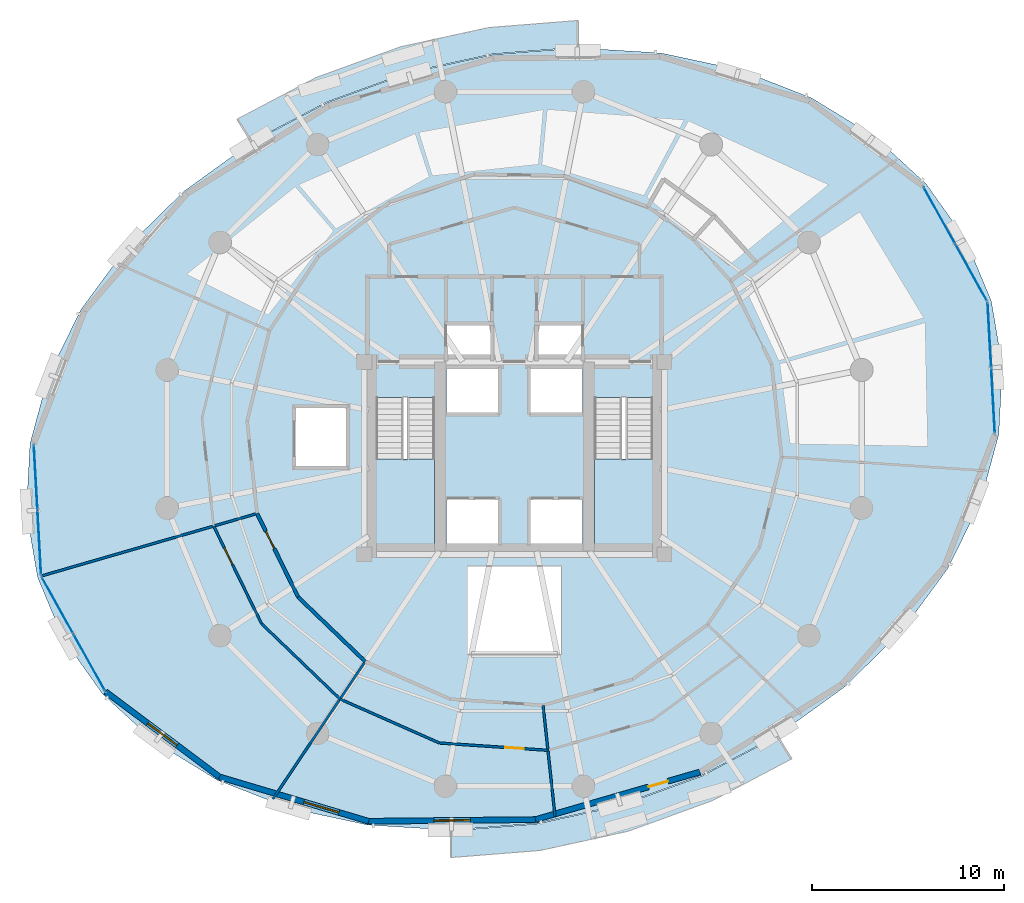
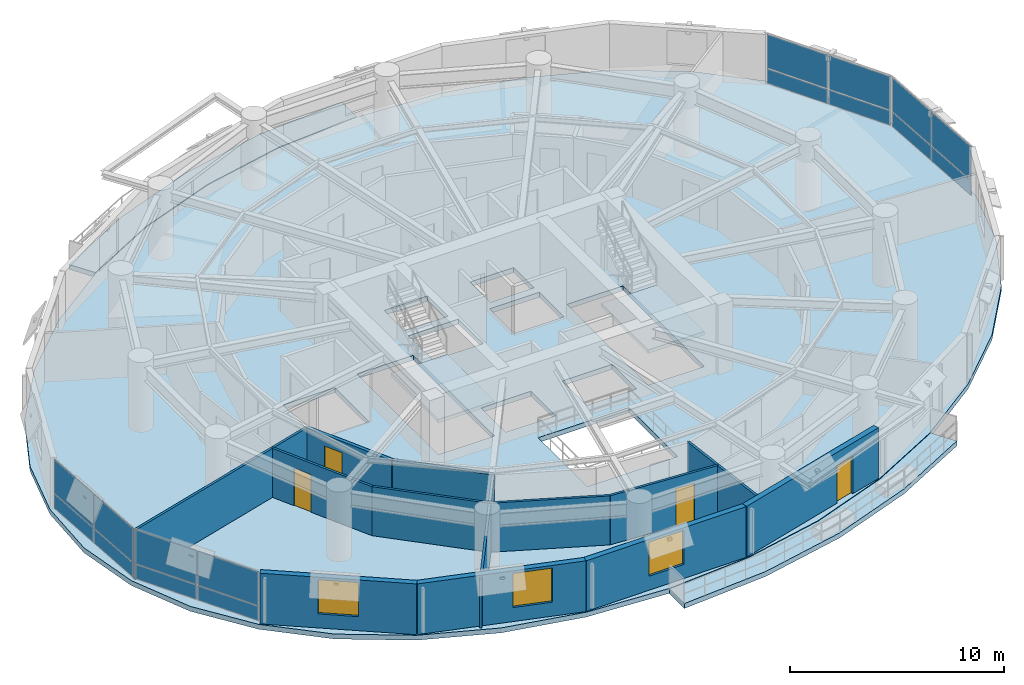
# One storey, part 9 of 15: 16 plates, 13 walls, 5 slabs, 4 doors, 3 windows, 7 openings, 6 elements without a shape of their own.
"""IFC4 building model written with IfcOpenShell, lengths in metres."""

import ifcopenshell
import ifcopenshell.guid

model = None  # the IFC model being written
_history = None  # IfcOwnerHistory: only IFC2X3 demands one
_inside = {}  # id of a spatial element -> (the spatial element, [elements in it])
_under = {}  # id of a project, library or spatial element -> (it, [spatial elements below it])
_declared = {}  # id of a project -> (the project, [libraries it declares])
_typed = {}  # id of a type object -> (the type object, [elements of that type])
_made_of = {}  # id of a material, layer set ... -> (it, [elements and type objects made of it])


def new_model(schema):
    """Start an empty IFC model of exactly this schema.

    Asked for "IFC4X3", IfcOpenShell would pick the latest addendum, in which some entities
    have other attributes; the version numbers below select the first issue.
    IFC2X3 requires an IfcOwnerHistory on every rooted entity: one is made here for all.
    """
    global model, _history
    if schema == "IFC4X3":
        model = ifcopenshell.file(schema_version=(4, 3, 0, 0))
    else:
        model = ifcopenshell.file(schema=schema)
    _inside.clear()
    _under.clear()
    _declared.clear()
    _typed.clear()
    _made_of.clear()
    _history = None
    if model.schema == "IFC2X3":
        org = make("IfcOrganization", Name="unknown")
        user = make(
            "IfcPersonAndOrganization",
            ThePerson=make("IfcPerson", FamilyName="unknown"),
            TheOrganization=org,
        )
        app = make(
            "IfcApplication",
            ApplicationDeveloper=org,
            Version="unknown",
            ApplicationFullName="unknown",
            ApplicationIdentifier="unknown",
        )
        _history = make(
            "IfcOwnerHistory",
            OwningUser=user,
            OwningApplication=app,
            ChangeAction="ADDED",
            CreationDate=0,
        )
    return model


def make(cls, **values):
    """One entity of the class cls with the attributes given. An attribute that is None is left unset."""
    return model.create_entity(
        cls, **{name: value for name, value in values.items() if value is not None}
    )


def rooted(cls, **values):
    """An entity with a GlobalId (a new one), such as an element, a storey or a relation."""
    return make(cls, GlobalId=ifcopenshell.guid.new(), OwnerHistory=_history, **values)


def si_unit(unit_type, name, prefix=None):
    """IfcSIUnit, for example si_unit("LENGTHUNIT", "METRE", prefix="MILLI")."""
    return make("IfcSIUnit", UnitType=unit_type, Prefix=prefix, Name=name)


def assignment(units):
    """IfcUnitAssignment: the units of a project."""
    return None if units is None else make("IfcUnitAssignment", Units=units)


def point(xyz):
    """IfcCartesianPoint."""
    return None if xyz is None else make("IfcCartesianPoint", Coordinates=xyz)


def direction(xyz):
    """IfcDirection."""
    return None if xyz is None else make("IfcDirection", DirectionRatios=xyz)


def frame(location, z_axis=None, x_axis=None):
    """IfcAxis2Placement3D, a coordinate frame: its origin and axes. An axis left out is left unset."""
    return make(
        "IfcAxis2Placement3D",
        Location=point(location),
        Axis=direction(z_axis),
        RefDirection=direction(x_axis),
    )


def frame_2d(location, x_axis=None):
    """IfcAxis2Placement2D, a coordinate frame in the plane: its origin and x axis."""
    return make(
        "IfcAxis2Placement2D", Location=point(location), RefDirection=direction(x_axis)
    )


def origin():
    """The frame at (0, 0, 0) with its axes left unset."""
    return frame((0.0, 0.0, 0.0))


def origin_2d():
    """The frame at (0, 0) in the plane with its x axis left unset."""
    return frame_2d((0.0, 0.0))


def place(relative_to, where):
    """IfcLocalPlacement: puts the frame where relative to a parent placement (None: the world)."""
    return make(
        "IfcLocalPlacement", PlacementRelTo=relative_to, RelativePlacement=where
    )


def context(
    kind, dimensions, precision=None, world=None, true_north=None, identifier=None
):
    """IfcGeometricRepresentationContext, for example the 3D "Model" context."""
    return make(
        "IfcGeometricRepresentationContext",
        ContextIdentifier=identifier,
        ContextType=kind,
        CoordinateSpaceDimension=dimensions,
        Precision=precision,
        WorldCoordinateSystem=world,
        TrueNorth=true_north,
    )


def subcontext(parent, identifier, kind, view, scale=None):
    """IfcGeometricRepresentationSubContext, for example "Body" below "Model"."""
    return make(
        "IfcGeometricRepresentationSubContext",
        ContextIdentifier=identifier,
        ContextType=kind,
        ParentContext=parent,
        TargetScale=scale,
        TargetView=view,
    )


def project(units=None, contexts=None):
    """IfcProject with its units and contexts."""
    return rooted(
        "IfcProject",
        Name="project",
        RepresentationContexts=contexts,
        UnitsInContext=assignment(units),
    )


def spatial(cls, under=None, at=None, **own):
    """A site, building, storey or space (cls), placed at a placement, below another one or the project."""
    s = rooted(cls, ObjectPlacement=at, **own)
    if under is not None:
        _under.setdefault(under.id(), (under, []))[1].append(s)
    return s


def polyline(points):
    """IfcPolyline through the points."""
    return make("IfcPolyline", Points=[point(p) for p in points])


def profile(cls, at=None, kind="AREA", **sizes):
    """A parametric profile (cls). Its sizes go by their IFC names, for example OverallWidth=200.0."""
    return make(cls, ProfileType=kind, Position=at, **sizes)


def rectangle(**sizes):
    """IfcRectangleProfileDef."""
    return profile("IfcRectangleProfileDef", **sizes)


def outline(outer, holes=None, kind="AREA"):
    """IfcArbitraryClosedProfileDef: a profile drawn as a closed curve; with holes, ...WithVoids."""
    if holes is None:
        return make("IfcArbitraryClosedProfileDef", ProfileType=kind, OuterCurve=outer)
    return make(
        "IfcArbitraryProfileDefWithVoids",
        ProfileType=kind,
        OuterCurve=outer,
        InnerCurves=holes,
    )


def extrude(swept, where, along, depth):
    """IfcExtrudedAreaSolid: the profile swept, set in the frame where, extruded along a direction by depth."""
    return make(
        "IfcExtrudedAreaSolid",
        SweptArea=swept,
        Position=where,
        ExtrudedDirection=direction(along),
        Depth=depth,
    )


def shape(context_of_items, identifier, shape_type, items):
    """IfcShapeRepresentation: the items that make up one representation, for example the "Body"."""
    return make(
        "IfcShapeRepresentation",
        ContextOfItems=context_of_items,
        RepresentationIdentifier=identifier,
        RepresentationType=shape_type,
        Items=items,
    )


def material(Name=None, Category=None):
    """IfcMaterial."""
    return make("IfcMaterial", Name=Name, Category=Category)


def layer(
    of_material, thickness, ventilated=None, Name=None, Category=None, Priority=None
):
    """IfcMaterialLayer: one layer of a wall or slab, of a material (None: an air gap)."""
    return make(
        "IfcMaterialLayer",
        Material=of_material,
        LayerThickness=thickness,
        IsVentilated=ventilated,
        Name=Name,
        Category=Category,
        Priority=Priority,
    )


def layer_set(layers, Name=None):
    """IfcMaterialLayerSet."""
    return make("IfcMaterialLayerSet", MaterialLayers=layers, LayerSetName=Name)


def made_of(thing, what):
    """Note that an element or type object is made of a material, layer set ...; save() writes the relation."""
    if what is not None:
        _made_of.setdefault(what.id(), (what, []))[1].append(thing)
    return thing


def type_object(cls, material=None, **own):
    """A type object (cls), such as IfcWallType, which elements share."""
    return made_of(rooted(cls, **own), material)


def element(
    cls,
    number,
    at=None,
    inside=None,
    cuts=None,
    type_object=None,
    material=None,
    context=None,
    identifier="Body",
    shape_type=None,
    held_by="IfcProductDefinitionShape",
    body=None,
    shapes=None,
    **own,
):
    """One element of the class cls, such as IfcWall. Its Tag is "e" and its number.

    at: its placement. inside: the storey or other place that contains it. cuts: it is an
    opening in that element (IfcRelVoidsElement). A single representation is given by context,
    identifier, shape_type and body (its items); several are given by shapes. held_by: the class
    of the entity that holds the representations. save() writes the other relations.
    """
    e = rooted(cls, Tag="e%d" % number, ObjectPlacement=at, **own)
    if body is not None:
        shapes = [shape(context, identifier, shape_type, body)]
    if shapes is not None:
        e.Representation = make(held_by, Representations=shapes)
    if inside is not None:
        _inside.setdefault(inside.id(), (inside, []))[1].append(e)
    if cuts is not None:
        rooted(
            "IfcRelVoidsElement", RelatingBuildingElement=cuts, RelatedOpeningElement=e
        )
    if type_object is not None:
        _typed.setdefault(type_object.id(), (type_object, []))[1].append(e)
    return made_of(e, material)


def fill(opening, filler):
    """IfcRelFillsElement: the door or window that sits in an opening."""
    return rooted(
        "IfcRelFillsElement",
        RelatingOpeningElement=opening,
        RelatedBuildingElement=filler,
    )


def aggregate(whole, parts):
    """IfcRelAggregates: a whole, such as a stair, and the parts it consists of."""
    return rooted("IfcRelAggregates", RelatingObject=whole, RelatedObjects=parts)


def save(model, path):
    """Write the relations noted so far, then the file.

    IfcRelAggregates (storeys below a building ...), IfcRelContainedInSpatialStructure (elements
    in a storey), IfcRelDefinesByType, IfcRelAssociatesMaterial and IfcRelDeclares: one each for
    every whole, place, type object, material and project.
    """
    for whole, parts in _under.values():
        aggregate(whole, parts)
    for where, things in _inside.values():
        rooted(
            "IfcRelContainedInSpatialStructure",
            RelatedElements=things,
            RelatingStructure=where,
        )
    for kind, things in _typed.values():
        rooted("IfcRelDefinesByType", RelatedObjects=things, RelatingType=kind)
    for what, things in _made_of.values():
        rooted("IfcRelAssociatesMaterial", RelatedObjects=things, RelatingMaterial=what)
    for by, libraries in _declared.values():
        rooted("IfcRelDeclares", RelatingContext=by, RelatedDefinitions=libraries)
    model.write(path)


model = new_model("IFC4")

# Units and contexts
model_context = context("Model", 3, precision=1e-05, world=origin(), true_north=direction((0.0, 1.0)))
body_context = subcontext(model_context, "Body", "Model", "MODEL_VIEW")
ifc_project = project(units=[si_unit("LENGTHUNIT", "METRE"), si_unit("AREAUNIT", "SQUARE_METRE"), si_unit("VOLUMEUNIT", "CUBIC_METRE"), si_unit("PLANEANGLEUNIT", "RADIAN"), si_unit("MASSUNIT", "GRAM", prefix="KILO"), si_unit("THERMODYNAMICTEMPERATUREUNIT", "KELVIN"), si_unit("POWERUNIT", "WATT")], contexts=[model_context])

# Site, building, storey
site_placement = place(None, origin())
site = spatial("IfcSite", under=ifc_project, at=site_placement, CompositionType="ELEMENT")
building_placement = place(site_placement, origin())
building = spatial("IfcBuilding", under=site, at=building_placement, Name="Ocrelia Relay Tower", CompositionType="ELEMENT")
storey_placement = place(building_placement, frame((0.0, 0.0, 101.800048828125)))
storey = spatial("IfcBuildingStorey", under=building, at=storey_placement, Name="L23", CompositionType="ELEMENT", Elevation=101.800048828125)

# Curtain wall, plates
ifc_material_1 = material(Name="Aluminium and solar-control low-E glass", Category="aluminium")
ifc_layer_1 = layer(ifc_material_1, 0.179931640625, Name="Aluminium and solar-control low-E glass")
ifc_layer_set_1 = layer_set([ifc_layer_1], Name="Aluminium and solar-control low-E glass")
curtain_wall_type = type_object("IfcCurtainWallType", Name="CW-SYS-Z2-SWIT", PredefinedType="NOTDEFINED", material=ifc_layer_set_1)
curtain_wall_1_placement = place(storey_placement, origin())
curtain_wall_1 = element("IfcCurtainWall", 1, at=curtain_wall_1_placement, inside=storey, type_object=curtain_wall_type, Name="L23 Elliptical Tower Curtain Wall Bay 01", PredefinedType="NOTDEFINED")
ifc_material_2 = material(Name="Clear double-glazed low-E glass", Category="glass")
ifc_layer_2 = layer(ifc_material_2, 0.031982421875, Name="Clear double-glazed low-E glass")
ifc_layer_set_2 = layer_set([ifc_layer_2], Name="Clear double-glazed low-E glass")
plate_type = type_object("IfcPlateType", Name="CW-SYS-Z2-SWIT-PNL", PredefinedType="CURTAIN_PANEL", material=ifc_layer_set_2)
plate_1_placement = place(storey_placement, frame((57.744384765625, 34.638427734375, 0.059814453125), z_axis=(0.0, 0.0, 1.0), x_axis=(-0.486623868273, 0.873611590369, 0.0)))
plate_1 = element("IfcPlate", 2, at=plate_1_placement, type_object=plate_type, Name="CW-Z2 panel 1.1", PredefinedType="CURTAIN_PANEL", context=body_context, shape_type="SweptSolid", body=[
    extrude(rectangle(XDim=3.33447265625, YDim=0.031982421875, at=origin_2d()), origin(), (0.0, 0.0, 1.0), 0.81005859375),
])
plate_2_placement = place(storey_placement, frame((57.744384765625, 34.638427734375, 0.93017578125), z_axis=(0.0, 0.0, 1.0), x_axis=(-0.486623868273, 0.873611590369, 0.0)))
plate_2 = element("IfcPlate", 3, at=plate_2_placement, type_object=plate_type, Name="CW-Z2 panel 1.2", PredefinedType="CURTAIN_PANEL", context=body_context, shape_type="SweptSolid", body=[
    extrude(rectangle(XDim=3.33447265625, YDim=0.031982421875, at=origin_2d()), origin(), (0.0, 0.0, 1.0), 1.909912109375),
])
plate_3_placement = place(storey_placement, frame((56.087646484375, 37.612548828125, 0.059814453125), z_axis=(0.0, 0.0, 1.0), x_axis=(-0.486623868273, 0.873611590369, 0.0)))
plate_3 = element("IfcPlate", 4, at=plate_3_placement, type_object=plate_type, Name="CW-Z2 panel 2.1", PredefinedType="CURTAIN_PANEL", context=body_context, shape_type="SweptSolid", body=[
    extrude(rectangle(XDim=3.33447265625, YDim=0.031982421875, at=origin_2d()), origin(), (0.0, 0.0, 1.0), 0.81005859375),
])
plate_4_placement = place(storey_placement, frame((56.087646484375, 37.612548828125, 0.93017578125), z_axis=(0.0, 0.0, 1.0), x_axis=(-0.486623868273, 0.873611590369, 0.0)))
plate_4 = element("IfcPlate", 5, at=plate_4_placement, type_object=plate_type, Name="CW-Z2 panel 2.2", PredefinedType="CURTAIN_PANEL", context=body_context, shape_type="SweptSolid", body=[
    extrude(rectangle(XDim=3.33447265625, YDim=0.031982421875, at=origin_2d()), origin(), (0.0, 0.0, 1.0), 1.909912109375),
])
aggregate(curtain_wall_1, [plate_1, plate_2, plate_3, plate_4])

curtain_wall_2_placement = place(storey_placement, origin())
curtain_wall_2 = element("IfcCurtainWall", 6, at=curtain_wall_2_placement, inside=storey, type_object=curtain_wall_type, Name="L23 Elliptical Tower Curtain Wall Bay 09", PredefinedType="NOTDEFINED")
plate_5_placement = place(storey_placement, frame((9.125, 24.01318359375, 0.059814453125), z_axis=(0.0, 0.0, 1.0), x_axis=(0.055486927026, -0.998459413762, 0.0)))
plate_5 = element("IfcPlate", 7, at=plate_5_placement, type_object=plate_type, Name="CW-Z2 panel 1.1", PredefinedType="CURTAIN_PANEL", context=body_context, shape_type="SweptSolid", body=[
    extrude(rectangle(XDim=3.33447265625, YDim=0.031982421875, at=origin_2d()), origin(), (0.0, 0.0, 1.0), 0.81005859375),
])
plate_6_placement = place(storey_placement, frame((9.125, 24.01318359375, 0.93017578125), z_axis=(0.0, 0.0, 1.0), x_axis=(0.055486927026, -0.998459413762, 0.0)))
plate_6 = element("IfcPlate", 8, at=plate_6_placement, type_object=plate_type, Name="CW-Z2 panel 1.2", PredefinedType="CURTAIN_PANEL", context=body_context, shape_type="SweptSolid", body=[
    extrude(rectangle(XDim=3.33447265625, YDim=0.031982421875, at=origin_2d()), origin(), (0.0, 0.0, 1.0), 1.909912109375),
])
plate_7_placement = place(storey_placement, frame((9.31396484375, 20.614013671875, 0.059814453125), z_axis=(0.0, 0.0, 1.0), x_axis=(0.055486927026, -0.998459413762, 0.0)))
plate_7 = element("IfcPlate", 9, at=plate_7_placement, type_object=plate_type, Name="CW-Z2 panel 2.1", PredefinedType="CURTAIN_PANEL", context=body_context, shape_type="SweptSolid", body=[
    extrude(rectangle(XDim=3.33447265625, YDim=0.031982421875, at=origin_2d()), origin(), (0.0, 0.0, 1.0), 0.81005859375),
])
plate_8_placement = place(storey_placement, frame((9.31396484375, 20.614013671875, 0.93017578125), z_axis=(0.0, 0.0, 1.0), x_axis=(0.055486927026, -0.998459413762, 0.0)))
plate_8 = element("IfcPlate", 10, at=plate_8_placement, type_object=plate_type, Name="CW-Z2 panel 2.2", PredefinedType="CURTAIN_PANEL", context=body_context, shape_type="SweptSolid", body=[
    extrude(rectangle(XDim=3.33447265625, YDim=0.031982421875, at=origin_2d()), origin(), (0.0, 0.0, 1.0), 1.909912109375),
])
aggregate(curtain_wall_2, [plate_5, plate_6, plate_7, plate_8])

curtain_wall_3_placement = place(storey_placement, origin())
curtain_wall_3 = element("IfcCurtainWall", 11, at=curtain_wall_3_placement, inside=storey, type_object=curtain_wall_type, Name="L23 Elliptical Tower Curtain Wall Bay 10", PredefinedType="NOTDEFINED")
plate_9_placement = place(storey_placement, frame((10.255615234375, 17.361572265625, 0.059814453125), z_axis=(0.0, 0.0, 1.0), x_axis=(0.486623868273, -0.873611590369, 0.0)))
plate_9 = element("IfcPlate", 12, at=plate_9_placement, type_object=plate_type, Name="CW-Z2 panel 1.1", PredefinedType="CURTAIN_PANEL", context=body_context, shape_type="SweptSolid", body=[
    extrude(rectangle(XDim=3.33447265625, YDim=0.031982421875, at=origin_2d()), origin(), (0.0, 0.0, 1.0), 0.81005859375),
])
plate_10_placement = place(storey_placement, frame((10.255615234375, 17.361572265625, 0.93017578125), z_axis=(0.0, 0.0, 1.0), x_axis=(0.486623868273, -0.873611590369, 0.0)))
plate_10 = element("IfcPlate", 13, at=plate_10_placement, type_object=plate_type, Name="CW-Z2 panel 1.2", PredefinedType="CURTAIN_PANEL", context=body_context, shape_type="SweptSolid", body=[
    extrude(rectangle(XDim=3.33447265625, YDim=0.031982421875, at=origin_2d()), origin(), (0.0, 0.0, 1.0), 1.909912109375),
])
plate_11_placement = place(storey_placement, frame((11.912353515625, 14.387451171875, 0.059814453125), z_axis=(0.0, 0.0, 1.0), x_axis=(0.486623868273, -0.873611590369, 0.0)))
plate_11 = element("IfcPlate", 14, at=plate_11_placement, type_object=plate_type, Name="CW-Z2 panel 2.1", PredefinedType="CURTAIN_PANEL", context=body_context, shape_type="SweptSolid", body=[
    extrude(rectangle(XDim=3.33447265625, YDim=0.031982421875, at=origin_2d()), origin(), (0.0, 0.0, 1.0), 0.81005859375),
])
plate_12_placement = place(storey_placement, frame((11.912353515625, 14.387451171875, 0.93017578125), z_axis=(0.0, 0.0, 1.0), x_axis=(0.486623868273, -0.873611590369, 0.0)))
plate_12 = element("IfcPlate", 15, at=plate_12_placement, type_object=plate_type, Name="CW-Z2 panel 2.2", PredefinedType="CURTAIN_PANEL", context=body_context, shape_type="SweptSolid", body=[
    extrude(rectangle(XDim=3.33447265625, YDim=0.031982421875, at=origin_2d()), origin(), (0.0, 0.0, 1.0), 1.909912109375),
])
aggregate(curtain_wall_3, [plate_9, plate_10, plate_11, plate_12])

curtain_wall_4_placement = place(storey_placement, origin())
curtain_wall_4 = element("IfcCurtainWall", 16, at=curtain_wall_4_placement, inside=storey, type_object=curtain_wall_type, Name="L23 Elliptical Tower Curtain Wall Bay 18", PredefinedType="NOTDEFINED")
plate_13_placement = place(storey_placement, frame((58.875, 27.98681640625, 0.059814453125), z_axis=(0.0, 0.0, 1.0), x_axis=(-0.055486927026, 0.998459413762, 0.0)))
plate_13 = element("IfcPlate", 17, at=plate_13_placement, type_object=plate_type, Name="CW-Z2 panel 1.1", PredefinedType="CURTAIN_PANEL", context=body_context, shape_type="SweptSolid", body=[
    extrude(rectangle(XDim=3.33447265625, YDim=0.031982421875, at=origin_2d()), origin(), (0.0, 0.0, 1.0), 0.81005859375),
])
plate_14_placement = place(storey_placement, frame((58.875, 27.98681640625, 0.93017578125), z_axis=(0.0, 0.0, 1.0), x_axis=(-0.055486927026, 0.998459413762, 0.0)))
plate_14 = element("IfcPlate", 18, at=plate_14_placement, type_object=plate_type, Name="CW-Z2 panel 1.2", PredefinedType="CURTAIN_PANEL", context=body_context, shape_type="SweptSolid", body=[
    extrude(rectangle(XDim=3.33447265625, YDim=0.031982421875, at=origin_2d()), origin(), (0.0, 0.0, 1.0), 1.909912109375),
])
plate_15_placement = place(storey_placement, frame((58.68603515625, 31.385986328125, 0.059814453125), z_axis=(0.0, 0.0, 1.0), x_axis=(-0.055486927026, 0.998459413762, 0.0)))
plate_15 = element("IfcPlate", 19, at=plate_15_placement, type_object=plate_type, Name="CW-Z2 panel 2.1", PredefinedType="CURTAIN_PANEL", context=body_context, shape_type="SweptSolid", body=[
    extrude(rectangle(XDim=3.33447265625, YDim=0.031982421875, at=origin_2d()), origin(), (0.0, 0.0, 1.0), 0.81005859375),
])
plate_16_placement = place(storey_placement, frame((58.68603515625, 31.385986328125, 0.93017578125), z_axis=(0.0, 0.0, 1.0), x_axis=(-0.055486927026, 0.998459413762, 0.0)))
plate_16 = element("IfcPlate", 20, at=plate_16_placement, type_object=plate_type, Name="CW-Z2 panel 2.2", PredefinedType="CURTAIN_PANEL", context=body_context, shape_type="SweptSolid", body=[
    extrude(rectangle(XDim=3.33447265625, YDim=0.031982421875, at=origin_2d()), origin(), (0.0, 0.0, 1.0), 1.909912109375),
])
aggregate(curtain_wall_4, [plate_13, plate_14, plate_15, plate_16])

# Slabs
ifc_material_3 = material(Name="Precast concrete C40/50", Category="concrete")
ifc_layer_3 = layer(ifc_material_3, 0.280029296875, Name="Precast concrete C40/50")
ifc_layer_set_3 = layer_set([ifc_layer_3], Name="Precast concrete C40/50")
slab_type_1 = type_object("IfcSlabType", Name="SL-BALC-280", PredefinedType="FLOOR", material=ifc_layer_set_3)
slab_1_placement = place(storey_placement, frame((0.0, 0.0, -0.280029296875)))
element("IfcSlab", 21, at=slab_1_placement, inside=storey, type_object=slab_type_1, Name="L23 Planted Loggia Balcony B1", PredefinedType="FLOOR", context=body_context, shape_type="SweptSolid", body=[
    extrude(outline(polyline([(37.30029296875, 46.356201171875), (35.087646484375, 46.180908203125), (32.875244140625, 46.005615234375), (28.484130859375, 45.047607421875), (24.2607421875, 43.510986328125), (22.296875, 42.476806640625), (20.3330078125, 41.44287109375), (19.598388671875, 42.626953125), (21.647705078125, 43.7060546875), (23.69677734375, 44.784912109375), (28.0966796875, 46.385498046875), (32.671142578125, 47.3837890625), (34.979736328125, 47.566650390625), (37.288330078125, 47.74951171875), (37.30029296875, 46.356201171875)])), origin(), (0.0, 0.0, 1.0), 0.280029296875),
])
slab_2_placement = place(storey_placement, frame((0.0, 0.0, -0.280029296875)))
element("IfcSlab", 22, at=slab_2_placement, inside=storey, type_object=slab_type_1, Name="L23 Planted Loggia Balcony B2", PredefinedType="FLOOR", context=body_context, shape_type="SweptSolid", body=[
    extrude(outline(polyline([(30.69970703125, 5.643798828125), (32.912353515625, 5.819091796875), (35.124755859375, 5.994384765625), (39.515869140625, 6.952392578125), (43.7392578125, 8.489013671875), (45.703125, 9.523193359375), (47.6669921875, 10.55712890625), (48.401611328125, 9.373046875), (46.352294921875, 8.2939453125), (44.30322265625, 7.215087890625), (39.9033203125, 5.614501953125), (35.328857421875, 4.6162109375), (33.020263671875, 4.433349609375), (30.711669921875, 4.25048828125), (30.69970703125, 5.643798828125)])), origin(), (0.0, 0.0, 1.0), 0.280029296875),
])
ifc_material_4 = material(Name="Concrete C50/60", Category="concrete")
ifc_layer_4 = layer(ifc_material_4, 0.280029296875, Name="Concrete C50/60")
ifc_layer_set_4 = layer_set([ifc_layer_4], Name="Concrete C50/60")
slab_type_2 = type_object("IfcSlabType", Name="SL-FLR-280", PredefinedType="FLOOR", material=ifc_layer_set_4)
slab_3_placement = place(storey_placement, frame((0.0, 0.0, -0.280029296875)))
element("IfcSlab", 23, at=slab_3_placement, inside=storey, type_object=slab_type_2, Name="L23 Elliptical Tower Floor Slab", PredefinedType="FLOOR", context=body_context, shape_type="SweptSolid", body=[
    extrude(outline(polyline([(58.78173828125, 33.17626953125), (57.448974609375, 36.369873046875), (55.40380859375, 39.248291015625), (52.7080078125, 41.72412109375), (49.44384765625, 43.722412109375), (45.71044921875, 45.181884765625), (41.621337890625, 46.058837890625), (37.300537109375, 46.326171875), (32.879638671875, 45.975830078125), (28.49267578125, 45.0185546875), (24.27294921875, 43.4833984375), (20.348876953125, 41.417236328125), (16.839599609375, 38.88232421875), (13.8515625, 35.956298828125), (11.475830078125, 32.7275390625), (9.78466796875, 29.29443359375), (8.8291015625, 25.76123046875), (8.63818359375, 22.235107421875), (9.21826171875, 18.82373046875), (10.551025390625, 15.630126953125), (12.59619140625, 12.751708984375), (15.2919921875, 10.27587890625), (18.55615234375, 8.277587890625), (22.28955078125, 6.818115234375), (26.378662109375, 5.941162109375), (30.699462890625, 5.673828125), (35.120361328125, 6.024169921875), (39.50732421875, 6.9814453125), (43.72705078125, 8.5166015625), (47.651123046875, 10.582763671875), (51.160400390625, 13.11767578125), (54.1484375, 16.043701171875), (56.524169921875, 19.2724609375), (58.21533203125, 22.70556640625), (59.1708984375, 26.23876953125), (59.36181640625, 29.764892578125), (58.78173828125, 33.17626953125)]), holes=[polyline([(26.81005859375, 28.14990234375), (26.81005859375, 20.550048828125), (29.85009765625, 20.550048828125), (29.85009765625, 28.14990234375), (26.81005859375, 28.14990234375)]), polyline([(38.159912109375, 28.14990234375), (38.159912109375, 20.550048828125), (41.199951171875, 20.550048828125), (41.199951171875, 28.14990234375), (38.159912109375, 28.14990234375)]), polyline([(30.4599609375, 20.550048828125), (33.159912109375, 20.550048828125), (33.159912109375, 22.85009765625), (30.4599609375, 22.85009765625), (30.4599609375, 20.550048828125)]), polyline([(34.840087890625, 20.550048828125), (37.5400390625, 20.550048828125), (37.5400390625, 22.85009765625), (34.840087890625, 22.85009765625), (34.840087890625, 20.550048828125)]), polyline([(30.4599609375, 27.35009765625), (33.159912109375, 27.35009765625), (33.159912109375, 29.64990234375), (30.4599609375, 29.64990234375), (30.4599609375, 27.35009765625)]), polyline([(34.840087890625, 27.35009765625), (37.5400390625, 27.35009765625), (37.5400390625, 29.64990234375), (34.840087890625, 29.64990234375), (34.840087890625, 27.35009765625)]), polyline([(30.5, 30.10009765625), (32.85009765625, 30.10009765625), (32.85009765625, 32.0), (30.5, 32.0), (30.5, 30.10009765625)]), polyline([(35.14990234375, 30.10009765625), (37.5, 30.10009765625), (37.5, 32.0), (35.14990234375, 32.0), (35.14990234375, 30.10009765625)]), polyline([(22.550048828125, 24.5), (25.35009765625, 24.5), (25.35009765625, 27.699951171875), (22.550048828125, 27.699951171875), (22.550048828125, 24.5)]), polyline([(31.550048828125, 14.800048828125), (36.449951171875, 14.800048828125), (36.449951171875, 19.39990234375), (31.550048828125, 19.39990234375), (31.550048828125, 14.800048828125)])]), origin(), (0.0, 0.0, 1.0), 0.280029296875),
])

# Stair, slab
stair_type = type_object("IfcStairType", Name="ST-DL-1420-R167", PredefinedType="HALF_TURN_STAIR", material=ifc_material_4)
stair_1_placement = place(storey_placement, origin())
stair_1 = element("IfcStair", 24, at=stair_1_placement, inside=storey, type_object=stair_type, Name="L23 West Core Exit Stair ST1", PredefinedType="HALF_TURN_STAIR")
ifc_layer_5 = layer(ifc_material_4, 0.199951171875, Name="Concrete C50/60")
ifc_layer_set_5 = layer_set([ifc_layer_5], Name="Concrete C50/60")
slab_type_3 = type_object("IfcSlabType", Name="SL-LANDING-200", PredefinedType="LANDING", material=ifc_layer_set_5)
slab_4_placement = place(storey_placement, frame((0.0, 0.0, 1.800048828125)))
slab_4 = element("IfcSlab", 25, at=slab_4_placement, type_object=slab_type_3, Name="ST1 landing 1", PredefinedType="LANDING", context=body_context, shape_type="SweptSolid", body=[
    extrude(outline(polyline([(26.81005859375, 24.9599609375), (26.81005859375, 20.550048828125), (29.85009765625, 20.550048828125), (29.85009765625, 24.9599609375), (26.81005859375, 24.9599609375)])), origin(), (0.0, 0.0, 1.0), 0.199951171875),
])
aggregate(stair_1, [slab_4])

stair_2_placement = place(storey_placement, origin())
stair_2 = element("IfcStair", 26, at=stair_2_placement, inside=storey, type_object=stair_type, Name="L23 East Core Exit Stair ST2", PredefinedType="HALF_TURN_STAIR")
slab_5_placement = place(storey_placement, frame((0.0, 0.0, 1.800048828125)))
slab_5 = element("IfcSlab", 27, at=slab_5_placement, type_object=slab_type_3, Name="ST2 landing 1", PredefinedType="LANDING", context=body_context, shape_type="SweptSolid", body=[
    extrude(outline(polyline([(38.159912109375, 24.9599609375), (38.159912109375, 20.550048828125), (41.199951171875, 20.550048828125), (41.199951171875, 24.9599609375), (38.159912109375, 24.9599609375)])), origin(), (0.0, 0.0, 1.0), 0.199951171875),
])
aggregate(stair_2, [slab_5])

# Wall, opening, door
ifc_material_5 = material(Name="Gypsum Fireboard Partition EI60", Category="gypsum")
ifc_layer_6 = layer(ifc_material_5, 0.179931640625, Name="Gypsum Fireboard Partition EI60")
ifc_layer_set_6 = layer_set([ifc_layer_6], Name="Gypsum Fireboard Partition EI60")
wall_type_1 = type_object("IfcWallType", Name="W-CORR-EI60-180", PredefinedType="PARTITIONING", material=ifc_layer_set_6)
wall_1_placement = place(storey_placement, frame((20.62939453125, 22.128173828125, 0.0), z_axis=(0.0, 0.0, 1.0), x_axis=(0.44071758316, -0.897645816508, 0.0)))
wall_1 = element("IfcWall", 28, at=wall_1_placement, inside=storey, type_object=wall_type_1, Name="L23 Optical Routing Office B Corridor Partition 1", PredefinedType="PARTITIONING", context=body_context, shape_type="SweptSolid", body=[
    extrude(rectangle(XDim=4.83447265625, YDim=0.179931640625, at=frame_2d((2.417236328125, 0.0))), origin(), (0.0, 0.0, 1.0), 2.800048828125),
])
opening_1_placement = place(wall_1_placement, frame((1.03369140625, 0.0, 0.0)))
opening_1 = element("IfcOpeningElement", 29, at=opening_1_placement, cuts=wall_1, Name="Opening D-RM100", PredefinedType="OPENING", context=body_context, shape_type="SweptSolid", body=[
    extrude(rectangle(XDim=1.0, YDim=2.14990234375, at=frame_2d((0.5, 1.074951171875))), frame((0.0, 0.10009765625, 0.0), z_axis=(0.0, -1.0, 0.0), x_axis=(1.0, 0.0, 0.0)), (0.0, 0.0, 1.0), 0.199951171875),
])
ifc_material_6 = material(Name="Acoustic oak veneer fire door", Category="wood")
door_type_1 = type_object("IfcDoorType", Name="DR-ROOM-FD60-1000", OperationType="NOTDEFINED", PredefinedType="DOOR", material=ifc_material_6)
door_1_placement = place(opening_1_placement, origin())
door_1 = element("IfcDoor", 30, at=door_1_placement, inside=storey, type_object=door_type_1, Name="L23 Optical Routing Office B Entrance Door", OperationType="SINGLE_SWING_RIGHT", OverallHeight=2.14990234375, OverallWidth=1.0, PredefinedType="DOOR", context=body_context, shape_type="SweptSolid", body=[
    extrude(rectangle(XDim=1.0, YDim=2.14990234375, at=frame_2d((0.5, 1.074951171875))), frame((0.0, 0.02490234375, 0.0), z_axis=(0.0, -1.0, 0.0), x_axis=(1.0, 0.0, 0.0)), (0.0, 0.0, 1.0), 0.050048828125),
])
fill(opening_1, door_1)

# Wall
wall_2_placement = place(storey_placement, frame((22.760009765625, 17.78857421875, 0.0), z_axis=(0.0, 0.0, 1.0), x_axis=(0.721155169052, -0.692773572063, 0.0)))
element("IfcWall", 31, at=wall_2_placement, inside=storey, type_object=wall_type_1, Name="L23 Optical Routing Office B Corridor Partition 2", PredefinedType="PARTITIONING", context=body_context, shape_type="SweptSolid", body=[
    extrude(rectangle(XDim=4.83447265625, YDim=0.179931640625, at=frame_2d((2.417236328125, 0.0))), origin(), (0.0, 0.0, 1.0), 2.800048828125),
])

# Wall, opening, window
ifc_material_7 = material(Name="Precast concrete C40/50 with oxide terracotta", Category="masonry")
ifc_layer_7 = layer(ifc_material_7, 0.300048828125, Name="Precast concrete C40/50 with oxide terracotta")
ifc_layer_set_7 = layer_set([ifc_layer_7], Name="Precast concrete C40/50 with oxide terracotta")
wall_type_2 = type_object("IfcWallType", Name="W-EXT-TERR-300", PredefinedType="SOLIDWALL", material=ifc_layer_set_7)
wall_3_placement = place(storey_placement, frame((12.7578125, 12.86962890625, 0.0), z_axis=(0.0, 0.0, 1.0), x_axis=(0.80042041599, -0.599439035821, 0.0)))
wall_3 = element("IfcWall", 32, at=wall_3_placement, inside=storey, type_object=wall_type_2, Name="L23 Oxide Terracotta Facade Wall 11", PredefinedType="SOLIDWALL", context=body_context, shape_type="SweptSolid", body=[
    extrude(rectangle(XDim=7.38330078125, YDim=0.300048828125, at=frame_2d((3.691650390625, 0.0))), origin(), (0.0, 0.0, 1.0), 2.89990234375),
])
opening_2_placement = place(wall_3_placement, frame((2.741943359375, 0.0, 0.800048828125)))
opening_2 = element("IfcOpeningElement", 33, at=opening_2_placement, cuts=wall_3, Name="Opening W-06", PredefinedType="OPENING", context=body_context, shape_type="SweptSolid", body=[
    extrude(rectangle(XDim=1.89990234375, YDim=1.949951171875, at=frame_2d((0.949951171875, 0.97509765625))), frame((0.0, 0.16015625, 0.0), z_axis=(0.0, -1.0, 0.0), x_axis=(1.0, 0.0, 0.0)), (0.0, 0.0, 1.0), 0.320068359375),
])
window_type = type_object("IfcWindowType", Name="WIN-Z2-1900x2100", PartitioningType="DOUBLE_PANEL_VERTICAL", PredefinedType="WINDOW", material=ifc_material_2)
window_1_placement = place(opening_2_placement, origin())
window_1 = element("IfcWindow", 34, at=window_1_placement, inside=storey, type_object=window_type, Name="L23 Facade Module Window 11", OverallHeight=1.949951171875, OverallWidth=1.89990234375, PartitioningType="SINGLE_PANEL", PredefinedType="WINDOW", context=body_context, shape_type="SweptSolid", body=[
    extrude(rectangle(XDim=1.89990234375, YDim=1.949951171875, at=frame_2d((0.949951171875, 0.97509765625))), frame((0.0, 0.030029296875, 0.0), z_axis=(0.0, -1.0, 0.0), x_axis=(1.0, 0.0, 0.0)), (0.0, 0.0, 1.0), 0.06005859375),
])
fill(opening_2, window_1)

wall_4_placement = place(storey_placement, frame((18.66748046875, 8.44384765625, 0.0), z_axis=(0.0, 0.0, 1.0), x_axis=(0.958482012245, -0.285152997885, 0.0)))
wall_4 = element("IfcWall", 35, at=wall_4_placement, inside=storey, type_object=wall_type_2, Name="L23 Oxide Terracotta Facade Wall 12", PredefinedType="SOLIDWALL", context=body_context, shape_type="SweptSolid", body=[
    extrude(rectangle(XDim=8.09521484375, YDim=0.300048828125, at=frame_2d((4.047607421875, 0.0))), origin(), (0.0, 0.0, 1.0), 2.89990234375),
])
opening_3_placement = place(wall_4_placement, frame((4.580078125, 0.0, 0.800048828125)))
opening_3 = element("IfcOpeningElement", 36, at=opening_3_placement, cuts=wall_4, Name="Opening W-06", PredefinedType="OPENING", context=body_context, shape_type="SweptSolid", body=[
    extrude(rectangle(XDim=1.89990234375, YDim=1.949951171875, at=frame_2d((0.949951171875, 0.97509765625))), frame((0.0, 0.16015625, 0.0), z_axis=(0.0, -1.0, 0.0), x_axis=(1.0, 0.0, 0.0)), (0.0, 0.0, 1.0), 0.320068359375),
])
window_2_placement = place(opening_3_placement, origin())
window_2 = element("IfcWindow", 37, at=window_2_placement, inside=storey, type_object=window_type, Name="L23 Facade Module Window 12", OverallHeight=1.949951171875, OverallWidth=1.89990234375, PartitioningType="SINGLE_PANEL", PredefinedType="WINDOW", context=body_context, shape_type="SweptSolid", body=[
    extrude(rectangle(XDim=1.89990234375, YDim=1.949951171875, at=frame_2d((0.949951171875, 0.97509765625))), frame((0.0, 0.030029296875, 0.0), z_axis=(0.0, -1.0, 0.0), x_axis=(1.0, 0.0, 0.0)), (0.0, 0.0, 1.0), 0.06005859375),
])
fill(opening_3, window_2)

wall_5_placement = place(storey_placement, frame((26.426513671875, 6.135498046875, 0.0), z_axis=(0.0, 0.0, 1.0), x_axis=(0.999949221051, 0.010077465899, 0.0)))
wall_5 = element("IfcWall", 38, at=wall_5_placement, inside=storey, type_object=wall_type_2, Name="L23 Oxide Terracotta Facade Wall 13", PredefinedType="SOLIDWALL", context=body_context, shape_type="SweptSolid", body=[
    extrude(rectangle(XDim=8.673095703125, YDim=0.300048828125, at=frame_2d((4.33642578125, 0.0))), origin(), (0.0, 0.0, 1.0), 2.89990234375),
])
opening_4_placement = place(wall_5_placement, frame((3.385986328125, 0.0, 0.800048828125)))
opening_4 = element("IfcOpeningElement", 39, at=opening_4_placement, cuts=wall_5, Name="Opening W-06", PredefinedType="OPENING", context=body_context, shape_type="SweptSolid", body=[
    extrude(rectangle(XDim=1.89990234375, YDim=1.949951171875, at=frame_2d((0.949951171875, 0.97509765625))), frame((0.0, 0.16015625, 0.0), z_axis=(0.0, -1.0, 0.0), x_axis=(1.0, 0.0, 0.0)), (0.0, 0.0, 1.0), 0.320068359375),
])
window_3_placement = place(opening_4_placement, origin())
window_3 = element("IfcWindow", 40, at=window_3_placement, inside=storey, type_object=window_type, Name="L23 Facade Module Window 13", OverallHeight=1.949951171875, OverallWidth=1.89990234375, PartitioningType="SINGLE_PANEL", PredefinedType="WINDOW", context=body_context, shape_type="SweptSolid", body=[
    extrude(rectangle(XDim=1.89990234375, YDim=1.949951171875, at=frame_2d((0.949951171875, 0.97509765625))), frame((0.0, 0.030029296875, 0.0), z_axis=(0.0, -1.0, 0.0), x_axis=(1.0, 0.0, 0.0)), (0.0, 0.0, 1.0), 0.06005859375),
])
fill(opening_4, window_3)

# Wall, opening, door
wall_6_placement = place(storey_placement, frame((35.09912109375, 6.222900390625, 0.0), z_axis=(0.0, 0.0, 1.0), x_axis=(0.960531252737, 0.278172091547, 0.0)))
wall_6 = element("IfcWall", 41, at=wall_6_placement, inside=storey, type_object=wall_type_2, Name="L23 Oxide Terracotta Facade Wall 14", PredefinedType="SOLIDWALL", context=body_context, shape_type="SweptSolid", body=[
    extrude(rectangle(XDim=8.890625, YDim=0.300048828125, at=frame_2d((4.4453125, 0.0))), origin(), (0.0, 0.0, 1.0), 2.89990234375),
])
opening_5_placement = place(wall_6_placement, frame((6.110107421875, 0.0, 0.0)))
opening_5 = element("IfcOpeningElement", 42, at=opening_5_placement, cuts=wall_6, Name="Opening DB-105", PredefinedType="OPENING", context=body_context, shape_type="SweptSolid", body=[
    extrude(rectangle(XDim=1.050048828125, YDim=2.14990234375, at=frame_2d((0.52490234375, 1.074951171875))), frame((0.0, 0.16015625, 0.0), z_axis=(0.0, -1.0, 0.0), x_axis=(1.0, 0.0, 0.0)), (0.0, 0.0, 1.0), 0.320068359375),
])
ifc_material_8 = material(Name="Thermally broken aluminium and clear glass", Category="aluminium")
door_type_2 = type_object("IfcDoorType", Name="DR-BALC-1050", OperationType="NOTDEFINED", PredefinedType="DOOR", material=ifc_material_8)
door_2_placement = place(opening_5_placement, origin())
door_2 = element("IfcDoor", 43, at=door_2_placement, inside=storey, type_object=door_type_2, Name="L23 Planted Loggia Balcony Door B2", OperationType="SINGLE_SWING_LEFT", OverallHeight=2.14990234375, OverallWidth=1.050048828125, PredefinedType="DOOR", context=body_context, shape_type="SweptSolid", body=[
    extrude(rectangle(XDim=1.050048828125, YDim=2.14990234375, at=frame_2d((0.52490234375, 1.074951171875))), frame((0.0, 0.02490234375, 0.0), z_axis=(0.0, -1.0, 0.0), x_axis=(1.0, 0.0, 0.0)), (0.0, 0.0, 1.0), 0.050048828125),
])
fill(opening_5, door_2)

# Walls
ifc_material_9 = material(Name="Acoustic Fireboard Partition EI60", Category="gypsum")
ifc_layer_8 = layer(ifc_material_9, 0.125, Name="Acoustic Fireboard Partition EI60")
ifc_layer_set_8 = layer_set([ifc_layer_8], Name="Acoustic Fireboard Partition EI60")
wall_type_3 = type_object("IfcWallType", Name="W-PART-125", PredefinedType="PARTITIONING", material=ifc_layer_set_8)
wall_7_placement = place(storey_placement, frame((20.62939453125, 22.128173828125, 0.0), z_axis=(0.0, 0.0, 1.0), x_axis=(-0.960537373699, -0.278150954928, 0.0)))
element("IfcWall", 44, at=wall_7_placement, inside=storey, type_object=wall_type_3, Name="L23 Network Engineering Office A Radial Partition", PredefinedType="PARTITIONING", context=body_context, shape_type="SweptSolid", body=[
    extrude(rectangle(XDim=11.679931640625, YDim=0.125, at=frame_2d((5.83984375, 0.0))), origin(), (0.0, 0.0, 1.0), 2.800048828125),
])
wall_8_placement = place(storey_placement, frame((26.246337890625, 14.439453125, 0.0), z_axis=(0.0, 0.0, 1.0), x_axis=(-0.557035457181, -0.830488711208, 0.0)))
element("IfcWall", 45, at=wall_8_placement, inside=storey, type_object=wall_type_3, Name="L23 Optical Routing Office B Radial Partition", PredefinedType="PARTITIONING", context=body_context, shape_type="SweptSolid", body=[
    extrude(rectangle(XDim=8.60498046875, YDim=0.125, at=frame_2d((4.302490234375, 0.0))), origin(), (0.0, 0.0, 1.0), 2.800048828125),
])

# Wall, opening, door
wall_9_placement = place(storey_placement, frame((18.3720703125, 21.474609375, 0.0), z_axis=(0.0, 0.0, 1.0), x_axis=(0.440703575164, -0.897652693884, 0.0)))
wall_9 = element("IfcWall", 46, at=wall_9_placement, inside=storey, type_object=wall_type_3, Name="L23 Perimeter Optical Routing Office B Mid-Ring Partition 1", PredefinedType="PARTITIONING", context=body_context, shape_type="SweptSolid", body=[
    extrude(rectangle(XDim=5.650634765625, YDim=0.125, at=frame_2d((2.8251953125, 0.0))), origin(), (0.0, 0.0, 1.0), 2.800048828125),
])
opening_6_placement = place(wall_9_placement, frame((1.26513671875, 0.0, 0.0)))
opening_6 = element("IfcOpeningElement", 47, at=opening_6_placement, cuts=wall_9, Name="Opening D-RM95", PredefinedType="OPENING", context=body_context, shape_type="SweptSolid", body=[
    extrude(rectangle(XDim=0.949951171875, YDim=2.14990234375, at=frame_2d((0.47509765625, 1.074951171875))), frame((0.0, 0.072509765625, 0.0), z_axis=(0.0, -1.0, 0.0), x_axis=(1.0, 0.0, 0.0)), (0.0, 0.0, 1.0), 0.14501953125),
])
door_type_3 = type_object("IfcDoorType", Name="DR-ROOM-950", OperationType="NOTDEFINED", PredefinedType="DOOR", material=ifc_material_6)
door_3_placement = place(opening_6_placement, origin())
door_3 = element("IfcDoor", 48, at=door_3_placement, inside=storey, type_object=door_type_3, Name="L23 Perimeter Optical Routing Office B Connecting Door", OperationType="SINGLE_SWING_LEFT", OverallHeight=2.14990234375, OverallWidth=0.949951171875, PredefinedType="DOOR", context=body_context, shape_type="SweptSolid", body=[
    extrude(rectangle(XDim=0.949951171875, YDim=2.14990234375, at=frame_2d((0.47509765625, 1.074951171875))), frame((0.0, 0.02490234375, 0.0), z_axis=(0.0, -1.0, 0.0), x_axis=(1.0, 0.0, 0.0)), (0.0, 0.0, 1.0), 0.050048828125),
])
fill(opening_6, door_3)

# Walls
wall_10_placement = place(storey_placement, frame((20.8623046875, 16.40234375, 0.0), z_axis=(0.0, 0.0, 1.0), x_axis=(0.721157614832, -0.692771026075, 0.0)))
element("IfcWall", 49, at=wall_10_placement, inside=storey, type_object=wall_type_3, Name="L23 Perimeter Optical Routing Office B Mid-Ring Partition 2", PredefinedType="PARTITIONING", context=body_context, shape_type="SweptSolid", body=[
    extrude(rectangle(XDim=5.650634765625, YDim=0.125, at=frame_2d((2.8251953125, 0.0))), origin(), (0.0, 0.0, 1.0), 2.800048828125),
])
wall_11_placement = place(storey_placement, frame((35.4912109375, 12.16015625, 0.0), z_axis=(0.0, 0.0, 1.0), x_axis=(0.107148054284, -0.994243076145, 0.0)))
element("IfcWall", 50, at=wall_11_placement, inside=storey, type_object=wall_type_3, Name="L23 Peering Systems Office C Radial Partition", PredefinedType="PARTITIONING", context=body_context, shape_type="SweptSolid", body=[
    extrude(rectangle(XDim=5.803466796875, YDim=0.125, at=frame_2d((2.90185546875, 0.0))), origin(), (0.0, 0.0, 1.0), 2.800048828125),
])
wall_12_placement = place(storey_placement, frame((24.937255859375, 12.48779296875, 0.0), z_axis=(0.0, 0.0, 1.0), x_axis=(0.914595573512, -0.404369802178, 0.0)))
element("IfcWall", 51, at=wall_12_placement, inside=storey, type_object=wall_type_3, Name="L23 Perimeter Peering Systems Office C Mid-Ring Partition 1", PredefinedType="PARTITIONING", context=body_context, shape_type="SweptSolid", body=[
    extrude(rectangle(XDim=5.650634765625, YDim=0.125, at=frame_2d((2.8251953125, 0.0))), origin(), (0.0, 0.0, 1.0), 2.800048828125),
])

# Wall, opening, door
wall_13_placement = place(storey_placement, frame((30.105224609375, 10.202880859375, 0.0), z_axis=(0.0, 0.0, 1.0), x_axis=(0.997743284154, -0.067144165234, 0.0)))
wall_13 = element("IfcWall", 52, at=wall_13_placement, inside=storey, type_object=wall_type_3, Name="L23 Perimeter Peering Systems Office C Mid-Ring Partition 2", PredefinedType="PARTITIONING", context=body_context, shape_type="SweptSolid", body=[
    extrude(rectangle(XDim=5.650390625, YDim=0.125, at=frame_2d((2.8251953125, 0.0))), origin(), (0.0, 0.0, 1.0), 2.800048828125),
])
opening_7_placement = place(wall_13_placement, frame((3.435302734375, 0.0, 0.0)))
opening_7 = element("IfcOpeningElement", 53, at=opening_7_placement, cuts=wall_13, Name="Opening D-RM95", PredefinedType="OPENING", context=body_context, shape_type="SweptSolid", body=[
    extrude(rectangle(XDim=0.949951171875, YDim=2.14990234375, at=frame_2d((0.47509765625, 1.074951171875))), frame((0.0, 0.072509765625, 0.0), z_axis=(0.0, -1.0, 0.0), x_axis=(1.0, 0.0, 0.0)), (0.0, 0.0, 1.0), 0.14501953125),
])
door_4_placement = place(opening_7_placement, origin())
door_4 = element("IfcDoor", 54, at=door_4_placement, inside=storey, type_object=door_type_3, Name="L23 Perimeter Peering Systems Office C Connecting Door", OperationType="SINGLE_SWING_LEFT", OverallHeight=2.14990234375, OverallWidth=0.949951171875, PredefinedType="DOOR", context=body_context, shape_type="SweptSolid", body=[
    extrude(rectangle(XDim=0.949951171875, YDim=2.14990234375, at=frame_2d((0.47509765625, 1.074951171875))), frame((0.0, 0.02490234375, 0.0), z_axis=(0.0, -1.0, 0.0), x_axis=(1.0, 0.0, 0.0)), (0.0, 0.0, 1.0), 0.050048828125),
])
fill(opening_7, door_4)

save(model, "model.ifc")
